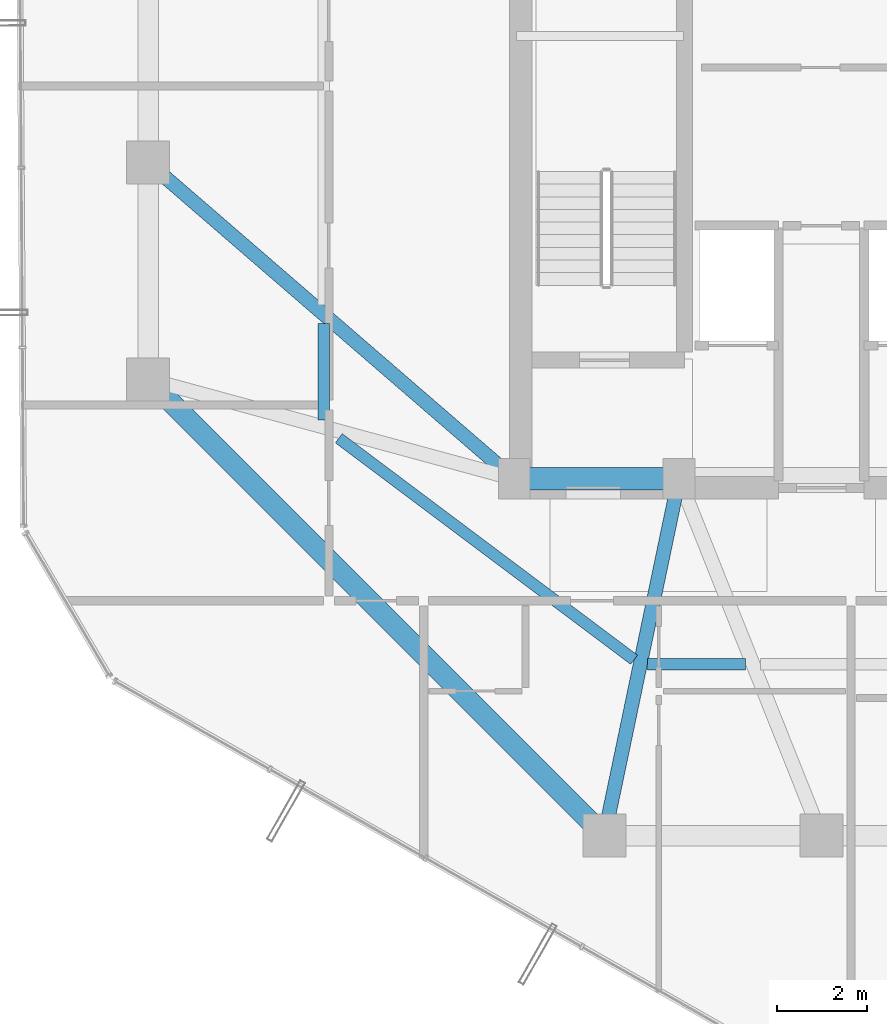
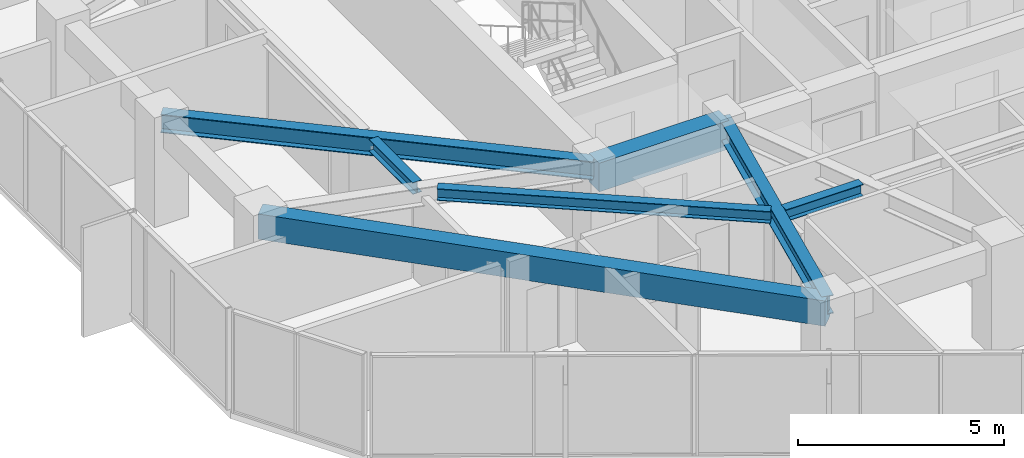
# One storey, part 6 of 31: 7 beams.
"""IFC4 building model written with IfcOpenShell, lengths in metres."""

from ifc_helpers import new_model, si_unit, direction, frame, origin, origin_2d, place, context, subcontext, project, spatial, rectangle, i_section, extrude, material, material_profile, profile_set, type_object, element, save


model = new_model("IFC4")

# Units and contexts
model_context = context("Model", 3, precision=1e-05, world=origin(), true_north=direction((0.0, 1.0)))
body_context = subcontext(model_context, "Body", "Model", "MODEL_VIEW")
ifc_project = project(units=[si_unit("LENGTHUNIT", "METRE"), si_unit("AREAUNIT", "SQUARE_METRE"), si_unit("VOLUMEUNIT", "CUBIC_METRE"), si_unit("PLANEANGLEUNIT", "RADIAN"), si_unit("MASSUNIT", "GRAM", prefix="KILO")], contexts=[model_context])

# Site, building, storey
site_placement = place(None, origin())
site = spatial("IfcSite", under=ifc_project, at=site_placement, CompositionType="ELEMENT")
building_placement = place(site_placement, origin())
building = spatial("IfcBuilding", under=site, at=building_placement, Name="Veraguas Prism Commons", CompositionType="ELEMENT")
storey_placement = place(building_placement, frame((0.0, 0.0, 204.85009765625)))
storey = spatial("IfcBuildingStorey", under=building, at=storey_placement, Name="L58", CompositionType="ELEMENT", Elevation=204.85009765625)

# Beams
ifc_material_1 = material(Name="Concrete C50/60", Category="concrete")
ifc_material_profile_1 = material_profile(ifc_material_1, rectangle(XDim=0.5, YDim=0.85009765625, at=origin_2d()), Name="RC500X850")
ifc_profile_set_1 = profile_set([ifc_material_profile_1], Name="Concrete C50/60")
beam_type_1 = type_object("IfcBeamType", Name="Core Coupling Beam RC 500x850", PredefinedType="BEAM", material=ifc_profile_set_1)
beam_1_placement = place(storey_placement, frame((17.199951171875, 17.0, 2.58984375), z_axis=(1.0, 0.0, 0.0), x_axis=(0.0, 1.0, 0.0)))
element("IfcBeam", 1, at=beam_1_placement, inside=storey, type_object=beam_type_1, Name="Core Coupling Beam L58-CRS1", PredefinedType="BEAM", context=body_context, shape_type="SweptSolid", body=[
    extrude(rectangle(XDim=0.5, YDim=0.85009765625, at=origin_2d()), origin(), (0.0, 0.0, 1.0), 3.650146484375),
])
ifc_material_profile_2 = material_profile(ifc_material_1, rectangle(XDim=0.449951171875, YDim=0.75, at=origin_2d()), Name="RC450X750")
ifc_profile_set_2 = profile_set([ifc_material_profile_2], Name="Concrete C50/60")
beam_type_2 = type_object("IfcBeamType", Name="Perimeter Spandrel Upper RC 450x750", PredefinedType="SPANDREL", material=ifc_profile_set_2)
beam_2_placement = place(storey_placement, frame((9.10009765625, 19.199951171875, 2.639892578125), z_axis=(0.707106781187, -0.707106781187, 0.0), x_axis=(0.707106781187, 0.707106781187, 0.0)))
element("IfcBeam", 2, at=beam_2_placement, inside=storey, type_object=beam_type_2, Name="Perimeter Spandrel Beam L58-SP09", PredefinedType="SPANDREL", context=body_context, shape_type="SweptSolid", body=[
    extrude(rectangle(XDim=0.449951171875, YDim=0.75, at=origin_2d()), origin(), (0.0, 0.0, 1.0), 14.283447265625),
])
ifc_material_2 = material(Name="Steel ASTM A992 Grade 50", Category="steel")
ifc_material_profile_3 = material_profile(ifc_material_2, i_section(OverallWidth=0.25390625, OverallDepth=0.35302734375, WebThickness=0.009521484375, FlangeThickness=0.016357421875, at=origin_2d()), Name="W360X91")
ifc_profile_set_3 = profile_set([ifc_material_profile_3], Name="Steel ASTM A992 Grade 50")
beam_type_3 = type_object("IfcBeamType", Name="Upper Floor Joist W360x91", PredefinedType="JOIST", material=ifc_profile_set_3)
beam_3_placement = place(storey_placement, frame((12.988037109375, 20.43701171875, 2.83837890625), z_axis=(0.0, -1.0, 0.0), x_axis=(1.0, 0.0, 0.0)))
element("IfcBeam", 3, at=beam_3_placement, inside=storey, type_object=beam_type_3, Name="Composite Floor Joist L58-JS08", PredefinedType="JOIST", context=body_context, shape_type="SweptSolid", body=[
    extrude(i_section(OverallWidth=0.25390625, OverallDepth=0.35302734375, WebThickness=0.009521484375, FlangeThickness=0.016357421875, at=origin_2d()), origin(), (0.0, 0.0, 1.0), 2.134033203125),
])
beam_4_placement = place(storey_placement, frame((13.320556640625, 17.89453125, 2.83837890625), z_axis=(0.800060962004, -0.599918708724, 0.0), x_axis=(0.599918708724, 0.800060962004, 0.0)))
element("IfcBeam", 4, at=beam_4_placement, inside=storey, type_object=beam_type_3, Name="Composite Floor Joist L58-JS09", PredefinedType="JOIST", context=body_context, shape_type="SweptSolid", body=[
    extrude(i_section(OverallWidth=0.25390625, OverallDepth=0.35302734375, WebThickness=0.009521484375, FlangeThickness=0.016357421875, at=origin_2d()), origin(), (0.0, 0.0, 1.0), 8.169189453125),
])
beam_5_placement = place(storey_placement, frame((20.148681640625, 12.89208984375, 2.83837890625), z_axis=(1.0, 0.0, 0.0), x_axis=(0.0, 1.0, 0.0)))
element("IfcBeam", 5, at=beam_5_placement, inside=storey, type_object=beam_type_3, Name="Composite Floor Joist L58-JS10", PredefinedType="JOIST", context=body_context, shape_type="SweptSolid", body=[
    extrude(i_section(OverallWidth=0.25390625, OverallDepth=0.35302734375, WebThickness=0.009521484375, FlangeThickness=0.016357421875, at=origin_2d()), origin(), (0.0, 0.0, 1.0), 2.174072265625),
])
ifc_material_profile_4 = material_profile(ifc_material_2, i_section(OverallWidth=0.31103515625, OverallDepth=0.5458984375, WebThickness=0.0146484375, FlangeThickness=0.023681640625, at=origin_2d()), Name="W530X165")
ifc_profile_set_4 = profile_set([ifc_material_profile_4], Name="Steel ASTM A992 Grade 50")
beam_type_4 = type_object("IfcBeamType", Name="Zone 3 Radial Girder W530x165", PredefinedType="BEAM", material=ifc_profile_set_4)
beam_6_placement = place(storey_placement, frame((9.10009765625, 24.0, 2.741943359375), z_axis=(0.756607086554, -0.653869800936, 0.0), x_axis=(0.653869800936, 0.756607086554, 0.0)))
element("IfcBeam", 6, at=beam_6_placement, inside=storey, type_object=beam_type_4, Name="Radial Floor Girder L58-RD08", PredefinedType="BEAM", context=body_context, shape_type="SweptSolid", body=[
    extrude(i_section(OverallWidth=0.31103515625, OverallDepth=0.5458984375, WebThickness=0.0146484375, FlangeThickness=0.023681640625, at=origin_2d()), origin(), (0.0, 0.0, 1.0), 10.70556640625),
])
beam_7_placement = place(storey_placement, frame((19.199951171875, 9.10009765625, 2.741943359375), z_axis=(0.204468851168, 0.978873070884, 0.0), x_axis=(-0.978873070884, 0.204468851168, 0.0)))
element("IfcBeam", 7, at=beam_7_placement, inside=storey, type_object=beam_type_4, Name="Radial Floor Girder L58-RD10", PredefinedType="BEAM", context=body_context, shape_type="SweptSolid", body=[
    extrude(i_section(OverallWidth=0.31103515625, OverallDepth=0.5458984375, WebThickness=0.0146484375, FlangeThickness=0.023681640625, at=origin_2d()), origin(), (0.0, 0.0, 1.0), 8.0703125),
])

save(model, "model.ifc")
